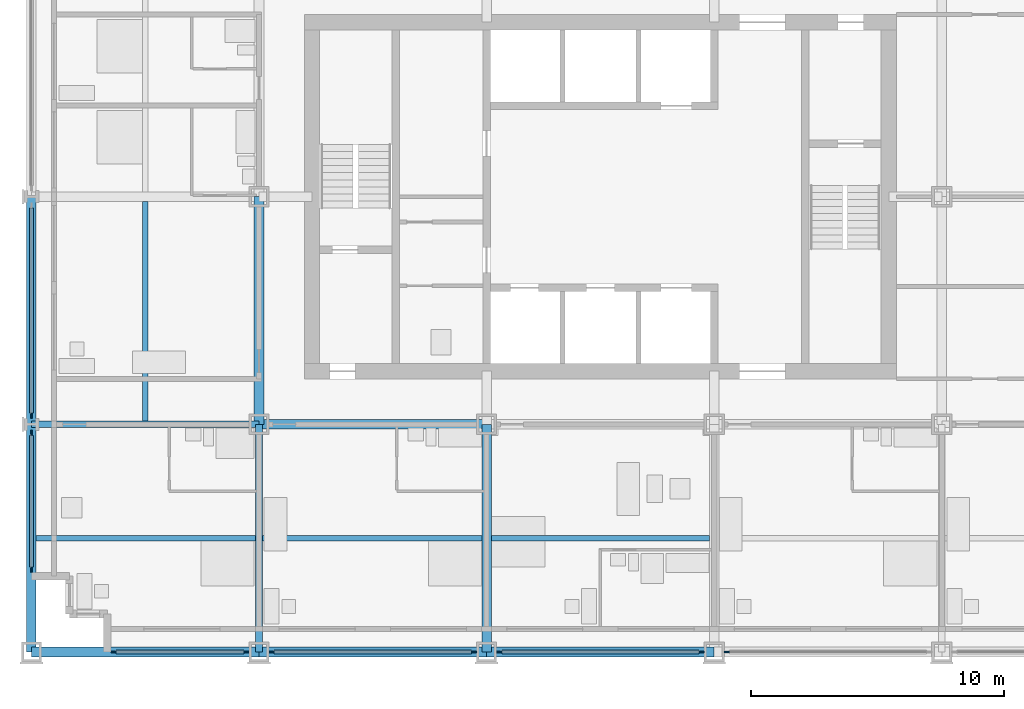
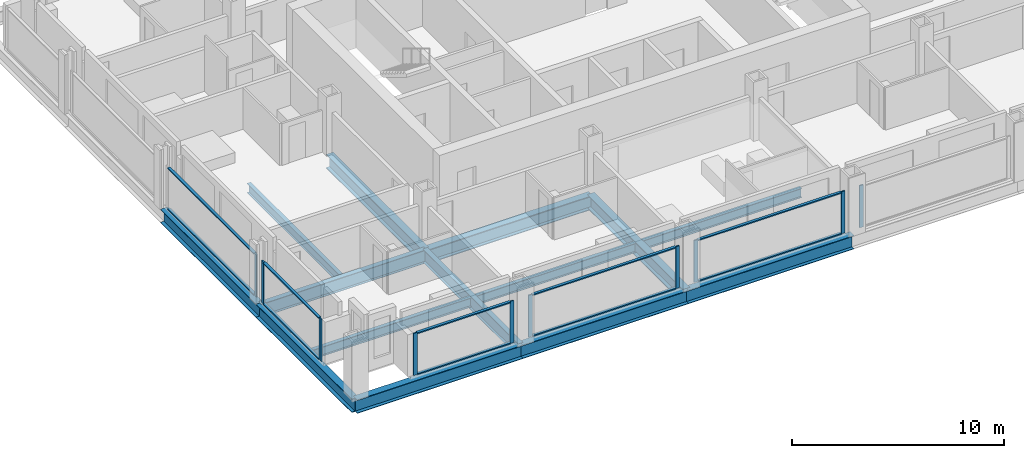
# One storey, part 2 of 18: 20 members, 14 beams, 6 elements without a shape of their own.
"""IFC4 building model written with IfcOpenShell, lengths in metres."""

from ifc_helpers import new_model, si_unit, direction, frame, origin, origin_2d, place, context, subcontext, project, spatial, rectangle, i_section, extrude, material, material_profile, profile_set, type_object, element, aggregate, save


model = new_model("IFC4")

# Units and contexts
model_context = context("Model", 3, precision=1e-05, world=origin(), true_north=direction((0.0, 1.0)))
body_context = subcontext(model_context, "Body", "Model", "MODEL_VIEW")
ifc_project = project(units=[si_unit("LENGTHUNIT", "METRE"), si_unit("AREAUNIT", "SQUARE_METRE"), si_unit("VOLUMEUNIT", "CUBIC_METRE"), si_unit("PLANEANGLEUNIT", "RADIAN"), si_unit("MASSUNIT", "GRAM", prefix="KILO")], contexts=[model_context])

# Site, building, storey
site_placement = place(None, origin())
site = spatial("IfcSite", under=ifc_project, at=site_placement, CompositionType="ELEMENT")
building_placement = place(site_placement, origin())
building = spatial("IfcBuilding", under=site, at=building_placement, Name="Loomwork Tower", CompositionType="ELEMENT")
storey_placement = place(building_placement, frame((0.0, 0.0, 48.39990234375)))
storey = spatial("IfcBuildingStorey", under=building, at=storey_placement, Name="L11", CompositionType="ELEMENT", Elevation=48.39990234375)

# Beams
ifc_material_1 = material(Name="Steel ASTM A992", Category="steel")
ifc_material_profile_1 = material_profile(ifc_material_1, i_section(OverallWidth=0.383544921875, OverallDepth=0.794921875, WebThickness=0.02099609375, FlangeThickness=0.0380859375, at=origin_2d()), Name="W30x235")
ifc_profile_set_1 = profile_set([ifc_material_profile_1], Name="Steel ASTM A992")
beam_type_1 = type_object("IfcBeamType", Name="CORE FLANK GIRDER W30x235", PredefinedType="BEAM", material=ifc_profile_set_1)
for number, where, z_axis, x_axis, name in (
    (1, (9.0, 9.0, -0.597412109375), (1.0, 0.0, 0.0), (0.0, 1.0, 0.0), "Core Flank Girder E/3-E/4 L11"),
    (2, (9.0, 9.0, -0.597412109375), (0.0, 1.0, 0.0), (-1.0, 0.0, 0.0), "Core Flank Girder E/3-F/3 L11"),
    (3, (18.0, 0.0, -0.597412109375), (0.0, 1.0, 0.0), (-1.0, 0.0, 0.0), "Core Flank Girder D/4-E/4 L11"),
):
    element("IfcBeam", number, at=place(storey_placement, frame(where, z_axis=z_axis, x_axis=x_axis)), inside=storey, type_object=beam_type_1, Name=name, PredefinedType="BEAM", context=body_context, shape_type="SweptSolid", body=[
        extrude(i_section(OverallWidth=0.383544921875, OverallDepth=0.794921875, WebThickness=0.02099609375, FlangeThickness=0.0380859375, at=origin_2d()), origin(), (0.0, 0.0, 1.0), 9.0),
    ])
ifc_material_2 = material(Name="Steel ASTM A992", Category="steel")
ifc_material_profile_2 = material_profile(ifc_material_2, i_section(OverallWidth=0.2666015625, OverallDepth=0.761962890625, WebThickness=0.014404296875, FlangeThickness=0.021484375, at=origin_2d()), Name="W30x116")
ifc_profile_set_2 = profile_set([ifc_material_profile_2], Name="Steel ASTM A992")
beam_type_2 = type_object("IfcBeamType", Name="FLOOR GIRDER W30x116", PredefinedType="BEAM", material=ifc_profile_set_2)
for number, where, z_axis, x_axis, name in (
    (4, (0.0, 9.0, -0.580810546875), (1.0, 0.0, 0.0), (0.0, 1.0, 0.0), "Floor Girder E/2-E/3 L11"),
    (5, (9.0, 0.0, -0.580810546875), (0.0, 1.0, 0.0), (-1.0, 0.0, 0.0), "Floor Girder D/3-E/3 L11"),
):
    element("IfcBeam", number, at=place(storey_placement, frame(where, z_axis=z_axis, x_axis=x_axis)), inside=storey, type_object=beam_type_2, Name=name, PredefinedType="BEAM", context=body_context, shape_type="SweptSolid", body=[
        extrude(i_section(OverallWidth=0.2666015625, OverallDepth=0.761962890625, WebThickness=0.014404296875, FlangeThickness=0.021484375, at=origin_2d()), origin(), (0.0, 0.0, 1.0), 9.0),
    ])
ifc_material_3 = material(Name="Steel ASTM A992", Category="steel")
ifc_material_profile_3 = material_profile(ifc_material_3, i_section(OverallWidth=0.2109375, OverallDepth=0.53857421875, WebThickness=0.011474609375, FlangeThickness=0.018798828125, at=origin_2d()), Name="W21x73")
ifc_profile_set_3 = profile_set([ifc_material_profile_3], Name="Steel ASTM A992")
beam_type_3 = type_object("IfcBeamType", Name="FLOOR JOIST W21x73", PredefinedType="JOIST", material=ifc_profile_set_3)
beam_1_placement = place(storey_placement, frame((0.18994140625, 4.5, -0.46923828125), z_axis=(1.0, 0.0, 0.0), x_axis=(0.0, 1.0, 0.0)))
element("IfcBeam", 6, at=beam_1_placement, inside=storey, type_object=beam_type_3, Name="Floor Joist 0.000,4.500-9.000,4.500 L11", PredefinedType="JOIST", context=body_context, shape_type="SweptSolid", body=[
    extrude(i_section(OverallWidth=0.2109375, OverallDepth=0.53857421875, WebThickness=0.011474609375, FlangeThickness=0.018798828125, at=origin_2d()), origin(), (0.0, 0.0, 1.0), 8.677001953125),
])
for number, where, z_axis, x_axis, name in (
    (7, (4.5, 9.133056640625, -0.46923828125), (0.0, 1.0, 0.0), (-1.0, 0.0, 0.0), "Floor Joist 4.500,9.000-4.500,18.000 L11"),
    (8, (9.133056640625, 4.5, -0.46923828125), (1.0, 0.0, 0.0), (0.0, 1.0, 0.0), "Floor Joist 9.000,4.500-18.000,4.500 L11"),
):
    element("IfcBeam", number, at=place(storey_placement, frame(where, z_axis=z_axis, x_axis=x_axis)), inside=storey, type_object=beam_type_3, Name=name, PredefinedType="JOIST", context=body_context, shape_type="SweptSolid", body=[
        extrude(i_section(OverallWidth=0.2109375, OverallDepth=0.53857421875, WebThickness=0.011474609375, FlangeThickness=0.018798828125, at=origin_2d()), origin(), (0.0, 0.0, 1.0), 8.676025390625),
    ])
beam_2_placement = place(storey_placement, frame((18.19091796875, 4.5, -0.46923828125), z_axis=(1.0, 0.0, 0.0), x_axis=(0.0, 1.0, 0.0)))
element("IfcBeam", 9, at=beam_2_placement, inside=storey, type_object=beam_type_3, Name="Floor Joist 18.000,4.500-27.000,4.500 L11", PredefinedType="JOIST", context=body_context, shape_type="SweptSolid", body=[
    extrude(i_section(OverallWidth=0.2109375, OverallDepth=0.53857421875, WebThickness=0.011474609375, FlangeThickness=0.018798828125, at=origin_2d()), origin(), (0.0, 0.0, 1.0), 8.6181640625),
])

# Curtain wall, members
ifc_material_4 = material(Name="Aluminium curtain wall frame", Category="aluminium")
curtain_wall_type = type_object("IfcCurtainWallType", Name="Outer skin glazing hotel", PredefinedType="NOTDEFINED", material=ifc_material_4)
curtain_wall_1_placement = place(storey_placement, origin())
curtain_wall_1 = element("IfcCurtainWall", 10, at=curtain_wall_1_placement, inside=storey, type_object=curtain_wall_type, Name="Outer skin glazing hotel cw/S-0", PredefinedType="NOTDEFINED")
ifc_material_5 = material(Name="Aluminium curtain wall frame", Category="aluminium")
ifc_material_profile_4 = material_profile(ifc_material_5, rectangle(XDim=0.06494140625, YDim=0.199951171875, at=origin_2d()), Name="AL 65x200")
ifc_profile_set_4 = profile_set([ifc_material_profile_4], Name="Aluminium curtain wall frame")
member_type_1 = type_object("IfcMemberType", Name="Outer skin glazing hotel mullion", PredefinedType="MULLION", material=ifc_profile_set_4)
member_1_placement = place(storey_placement, frame((3.25, 0.0, 0.0), z_axis=(0.0, 0.0, 1.0), x_axis=(0.0, 1.0, 0.0)))
member_1 = element("IfcMember", 11, at=member_1_placement, type_object=member_type_1, Name="CW1 mullion 1", PredefinedType="MULLION", context=body_context, shape_type="SweptSolid", body=[
    extrude(rectangle(XDim=0.06494140625, YDim=0.199951171875, at=origin_2d()), origin(), (0.0, 0.0, 1.0), 2.42041015625),
])
member_2_placement = place(storey_placement, frame((8.5, 0.0, 0.0), z_axis=(0.0, 0.0, 1.0), x_axis=(0.0, 1.0, 0.0)))
member_2 = element("IfcMember", 12, at=member_2_placement, type_object=member_type_1, Name="CW1 mullion 2", PredefinedType="MULLION", context=body_context, shape_type="SweptSolid", body=[
    extrude(rectangle(XDim=0.06494140625, YDim=0.199951171875, at=origin_2d()), origin(), (0.0, 0.0, 1.0), 2.42041015625),
])

curtain_wall_2_placement = place(storey_placement, origin())
curtain_wall_2 = element("IfcCurtainWall", 13, at=curtain_wall_2_placement, inside=storey, type_object=curtain_wall_type, Name="Outer skin glazing hotel cw/S-9", PredefinedType="NOTDEFINED")
member_3_placement = place(storey_placement, frame((9.5, 0.0, 0.0), z_axis=(0.0, 0.0, 1.0), x_axis=(0.0, 1.0, 0.0)))
member_3 = element("IfcMember", 14, at=member_3_placement, type_object=member_type_1, Name="CW1 mullion 1", PredefinedType="MULLION", context=body_context, shape_type="SweptSolid", body=[
    extrude(rectangle(XDim=0.06494140625, YDim=0.199951171875, at=origin_2d()), origin(), (0.0, 0.0, 1.0), 2.42041015625),
])
member_4_placement = place(storey_placement, frame((17.5, 0.0, 0.0), z_axis=(0.0, 0.0, 1.0), x_axis=(0.0, 1.0, 0.0)))
member_4 = element("IfcMember", 15, at=member_4_placement, type_object=member_type_1, Name="CW1 mullion 2", PredefinedType="MULLION", context=body_context, shape_type="SweptSolid", body=[
    extrude(rectangle(XDim=0.06494140625, YDim=0.199951171875, at=origin_2d()), origin(), (0.0, 0.0, 1.0), 2.42041015625),
])

curtain_wall_3_placement = place(storey_placement, origin())
curtain_wall_3 = element("IfcCurtainWall", 16, at=curtain_wall_3_placement, inside=storey, type_object=curtain_wall_type, Name="Outer skin glazing hotel cw/S-18", PredefinedType="NOTDEFINED")
member_5_placement = place(storey_placement, frame((18.5, 0.0, 0.0), z_axis=(0.0, 0.0, 1.0), x_axis=(0.0, 1.0, 0.0)))
member_5 = element("IfcMember", 17, at=member_5_placement, type_object=member_type_1, Name="CW1 mullion 1", PredefinedType="MULLION", context=body_context, shape_type="SweptSolid", body=[
    extrude(rectangle(XDim=0.06494140625, YDim=0.199951171875, at=origin_2d()), origin(), (0.0, 0.0, 1.0), 2.42041015625),
])
member_6_placement = place(storey_placement, frame((26.5, 0.0, 0.0), z_axis=(0.0, 0.0, 1.0), x_axis=(0.0, 1.0, 0.0)))
member_6 = element("IfcMember", 18, at=member_6_placement, type_object=member_type_1, Name="CW1 mullion 2", PredefinedType="MULLION", context=body_context, shape_type="SweptSolid", body=[
    extrude(rectangle(XDim=0.06494140625, YDim=0.199951171875, at=origin_2d()), origin(), (0.0, 0.0, 1.0), 2.42041015625),
])

# Curtain wall, member
curtain_wall_4_placement = place(storey_placement, origin())
curtain_wall_4 = element("IfcCurtainWall", 19, at=curtain_wall_4_placement, inside=storey, type_object=curtain_wall_type, Name="Outer skin glazing hotel cw/S-27", PredefinedType="NOTDEFINED")
member_7_placement = place(storey_placement, frame((27.5, 0.0, 0.0), z_axis=(0.0, 0.0, 1.0), x_axis=(0.0, 1.0, 0.0)))
member_7 = element("IfcMember", 20, at=member_7_placement, type_object=member_type_1, Name="CW1 mullion 1", PredefinedType="MULLION", context=body_context, shape_type="SweptSolid", body=[
    extrude(rectangle(XDim=0.06494140625, YDim=0.199951171875, at=origin_2d()), origin(), (0.0, 0.0, 1.0), 2.42041015625),
])
aggregate(curtain_wall_4, [member_7])

# Curtain wall, members
curtain_wall_5_placement = place(storey_placement, origin())
curtain_wall_5 = element("IfcCurtainWall", 21, at=curtain_wall_5_placement, inside=storey, type_object=curtain_wall_type, Name="Outer skin glazing hotel cw/W-0", PredefinedType="NOTDEFINED")
member_8_placement = place(storey_placement, frame((0.0, 8.6611328125, 0.0), z_axis=(0.0, 0.0, 1.0), x_axis=(1.0, 0.0, 0.0)))
member_8 = element("IfcMember", 22, at=member_8_placement, type_object=member_type_1, Name="CW1 mullion 1", PredefinedType="MULLION", context=body_context, shape_type="SweptSolid", body=[
    extrude(rectangle(XDim=0.06494140625, YDim=0.199951171875, at=origin_2d()), origin(), (0.0, 0.0, 1.0), 2.42041015625),
])
member_9_placement = place(storey_placement, frame((0.0, 3.25, 0.0), z_axis=(0.0, 0.0, 1.0), x_axis=(1.0, 0.0, 0.0)))
member_9 = element("IfcMember", 23, at=member_9_placement, type_object=member_type_1, Name="CW1 mullion 2", PredefinedType="MULLION", context=body_context, shape_type="SweptSolid", body=[
    extrude(rectangle(XDim=0.06494140625, YDim=0.199951171875, at=origin_2d()), origin(), (0.0, 0.0, 1.0), 2.42041015625),
])

# Curtain wall, member
curtain_wall_6_placement = place(storey_placement, origin())
curtain_wall_6 = element("IfcCurtainWall", 24, at=curtain_wall_6_placement, inside=storey, type_object=curtain_wall_type, Name="Outer skin glazing hotel cw/W-9", PredefinedType="NOTDEFINED")
member_10_placement = place(storey_placement, frame((0.0, 9.3388671875, 0.0), z_axis=(0.0, 0.0, 1.0), x_axis=(1.0, 0.0, 0.0)))
member_10 = element("IfcMember", 25, at=member_10_placement, type_object=member_type_1, Name="CW1 mullion 2", PredefinedType="MULLION", context=body_context, shape_type="SweptSolid", body=[
    extrude(rectangle(XDim=0.06494140625, YDim=0.199951171875, at=origin_2d()), origin(), (0.0, 0.0, 1.0), 2.42041015625),
])

# Member
ifc_material_6 = material(Name="Aluminium curtain wall frame", Category="aluminium")
ifc_material_profile_5 = material_profile(ifc_material_6, rectangle(XDim=0.14990234375, YDim=0.06494140625, at=origin_2d()), Name="AL 65x150")
ifc_profile_set_5 = profile_set([ifc_material_profile_5], Name="Aluminium curtain wall frame")
member_type_2 = type_object("IfcMemberType", Name="Outer skin glazing hotel transom", PredefinedType="USERDEFINED", material=ifc_profile_set_5)
member_11_placement = place(storey_placement, frame((3.35009765625, 0.0, 0.03271484375), z_axis=(1.0, 0.0, 0.0), x_axis=(0.0, 1.0, 0.0)))
member_11 = element("IfcMember", 26, at=member_11_placement, type_object=member_type_2, Name="CW1 transom 1.1", ObjectType="TRANSOM", PredefinedType="USERDEFINED", context=body_context, shape_type="SweptSolid", body=[
    extrude(rectangle(XDim=0.14990234375, YDim=0.06494140625, at=origin_2d()), origin(), (0.0, 0.0, 1.0), 5.0498046875),
])

member_12_placement = place(storey_placement, frame((3.35009765625, 0.0, 2.3876953125), z_axis=(1.0, 0.0, 0.0), x_axis=(0.0, 1.0, 0.0)))
member_12 = element("IfcMember", 27, at=member_12_placement, type_object=member_type_2, Name="CW1 transom 1.2", ObjectType="TRANSOM", PredefinedType="USERDEFINED", context=body_context, shape_type="SweptSolid", body=[
    extrude(rectangle(XDim=0.14990234375, YDim=0.06494140625, at=origin_2d()), origin(), (0.0, 0.0, 1.0), 5.0498046875),
])

aggregate(curtain_wall_1, [member_1, member_2, member_11, member_12])

member_13_placement = place(storey_placement, frame((9.60009765625, 0.0, 0.03271484375), z_axis=(1.0, 0.0, 0.0), x_axis=(0.0, 1.0, 0.0)))
member_13 = element("IfcMember", 28, at=member_13_placement, type_object=member_type_2, Name="CW1 transom 1.1", ObjectType="TRANSOM", PredefinedType="USERDEFINED", context=body_context, shape_type="SweptSolid", body=[
    extrude(rectangle(XDim=0.14990234375, YDim=0.06494140625, at=origin_2d()), origin(), (0.0, 0.0, 1.0), 7.7998046875),
])

member_14_placement = place(storey_placement, frame((9.60009765625, 0.0, 2.3876953125), z_axis=(1.0, 0.0, 0.0), x_axis=(0.0, 1.0, 0.0)))
member_14 = element("IfcMember", 29, at=member_14_placement, type_object=member_type_2, Name="CW1 transom 1.2", ObjectType="TRANSOM", PredefinedType="USERDEFINED", context=body_context, shape_type="SweptSolid", body=[
    extrude(rectangle(XDim=0.14990234375, YDim=0.06494140625, at=origin_2d()), origin(), (0.0, 0.0, 1.0), 7.7998046875),
])

aggregate(curtain_wall_2, [member_3, member_4, member_13, member_14])

member_15_placement = place(storey_placement, frame((18.60009765625, 0.0, 0.03271484375), z_axis=(1.0, 0.0, 0.0), x_axis=(0.0, 1.0, 0.0)))
member_15 = element("IfcMember", 30, at=member_15_placement, type_object=member_type_2, Name="CW1 transom 1.1", ObjectType="TRANSOM", PredefinedType="USERDEFINED", context=body_context, shape_type="SweptSolid", body=[
    extrude(rectangle(XDim=0.14990234375, YDim=0.06494140625, at=origin_2d()), origin(), (0.0, 0.0, 1.0), 7.7998046875),
])

member_16_placement = place(storey_placement, frame((18.60009765625, 0.0, 2.3876953125), z_axis=(1.0, 0.0, 0.0), x_axis=(0.0, 1.0, 0.0)))
member_16 = element("IfcMember", 31, at=member_16_placement, type_object=member_type_2, Name="CW1 transom 1.2", ObjectType="TRANSOM", PredefinedType="USERDEFINED", context=body_context, shape_type="SweptSolid", body=[
    extrude(rectangle(XDim=0.14990234375, YDim=0.06494140625, at=origin_2d()), origin(), (0.0, 0.0, 1.0), 7.7998046875),
])

aggregate(curtain_wall_3, [member_5, member_6, member_15, member_16])

member_17_placement = place(storey_placement, frame((0.0, 8.561279296875, 0.03271484375), z_axis=(0.0, -1.0, 0.0), x_axis=(1.0, 0.0, 0.0)))
member_17 = element("IfcMember", 32, at=member_17_placement, type_object=member_type_2, Name="CW1 transom 1.1", ObjectType="TRANSOM", PredefinedType="USERDEFINED", context=body_context, shape_type="SweptSolid", body=[
    extrude(rectangle(XDim=0.14990234375, YDim=0.06494140625, at=origin_2d()), origin(), (0.0, 0.0, 1.0), 5.211181640625),
])

member_18_placement = place(storey_placement, frame((0.0, 8.561279296875, 2.3876953125), z_axis=(0.0, -1.0, 0.0), x_axis=(1.0, 0.0, 0.0)))
member_18 = element("IfcMember", 33, at=member_18_placement, type_object=member_type_2, Name="CW1 transom 1.2", ObjectType="TRANSOM", PredefinedType="USERDEFINED", context=body_context, shape_type="SweptSolid", body=[
    extrude(rectangle(XDim=0.14990234375, YDim=0.06494140625, at=origin_2d()), origin(), (0.0, 0.0, 1.0), 5.211181640625),
])

aggregate(curtain_wall_5, [member_8, member_9, member_17, member_18])

member_19_placement = place(storey_placement, frame((0.0, 17.561279296875, 0.03271484375), z_axis=(0.0, -1.0, 0.0), x_axis=(1.0, 0.0, 0.0)))
member_19 = element("IfcMember", 34, at=member_19_placement, type_object=member_type_2, Name="CW1 transom 1.1", ObjectType="TRANSOM", PredefinedType="USERDEFINED", context=body_context, shape_type="SweptSolid", body=[
    extrude(rectangle(XDim=0.14990234375, YDim=0.06494140625, at=origin_2d()), origin(), (0.0, 0.0, 1.0), 8.12255859375),
])

member_20_placement = place(storey_placement, frame((0.0, 17.561279296875, 2.3876953125), z_axis=(0.0, -1.0, 0.0), x_axis=(1.0, 0.0, 0.0)))
member_20 = element("IfcMember", 35, at=member_20_placement, type_object=member_type_2, Name="CW1 transom 1.2", ObjectType="TRANSOM", PredefinedType="USERDEFINED", context=body_context, shape_type="SweptSolid", body=[
    extrude(rectangle(XDim=0.14990234375, YDim=0.06494140625, at=origin_2d()), origin(), (0.0, 0.0, 1.0), 8.12255859375),
])

aggregate(curtain_wall_6, [member_10, member_19, member_20])

# Beams
ifc_material_7 = material(Name="Steel ASTM A992", Category="steel")
ifc_material_profile_6 = material_profile(ifc_material_7, i_section(OverallWidth=0.381103515625, OverallDepth=0.77978515625, WebThickness=0.01806640625, FlangeThickness=0.0302734375, at=origin_2d()), Name="W30x191")
ifc_profile_set_6 = profile_set([ifc_material_profile_6], Name="Steel ASTM A992")
beam_type_4 = type_object("IfcBeamType", Name="SPANDREL GIRDER W30x191", PredefinedType="SPANDREL", material=ifc_profile_set_6)
for number, where, z_axis, x_axis, name in (
    (36, (0.0, 0.0, -0.58984375), (1.0, 0.0, 0.0), (0.0, 1.0, 0.0), "Spandrel Girder D/2-D/3 L11"),
    (37, (9.0, 0.0, -0.58984375), (1.0, 0.0, 0.0), (0.0, 1.0, 0.0), "Spandrel Girder D/3-D/4 L11"),
    (38, (18.0, 0.0, -0.58984375), (1.0, 0.0, 0.0), (0.0, 1.0, 0.0), "Spandrel Girder D/4-D/5 L11"),
    (39, (0.0, 0.0, -0.58984375), (0.0, 1.0, 0.0), (-1.0, 0.0, 0.0), "Spandrel Girder D/2-E/2 L11"),
    (40, (0.0, 9.0, -0.58984375), (0.0, 1.0, 0.0), (-1.0, 0.0, 0.0), "Spandrel Girder E/2-F/2 L11"),
):
    element("IfcBeam", number, at=place(storey_placement, frame(where, z_axis=z_axis, x_axis=x_axis)), inside=storey, type_object=beam_type_4, Name=name, PredefinedType="SPANDREL", context=body_context, shape_type="SweptSolid", body=[
        extrude(i_section(OverallWidth=0.381103515625, OverallDepth=0.77978515625, WebThickness=0.01806640625, FlangeThickness=0.0302734375, at=origin_2d()), origin(), (0.0, 0.0, 1.0), 9.0),
    ])

save(model, "model.ifc")
